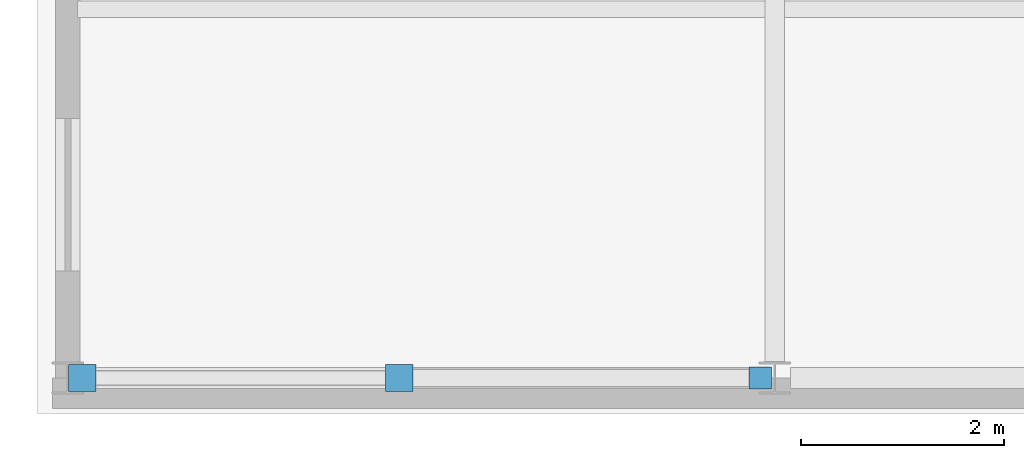
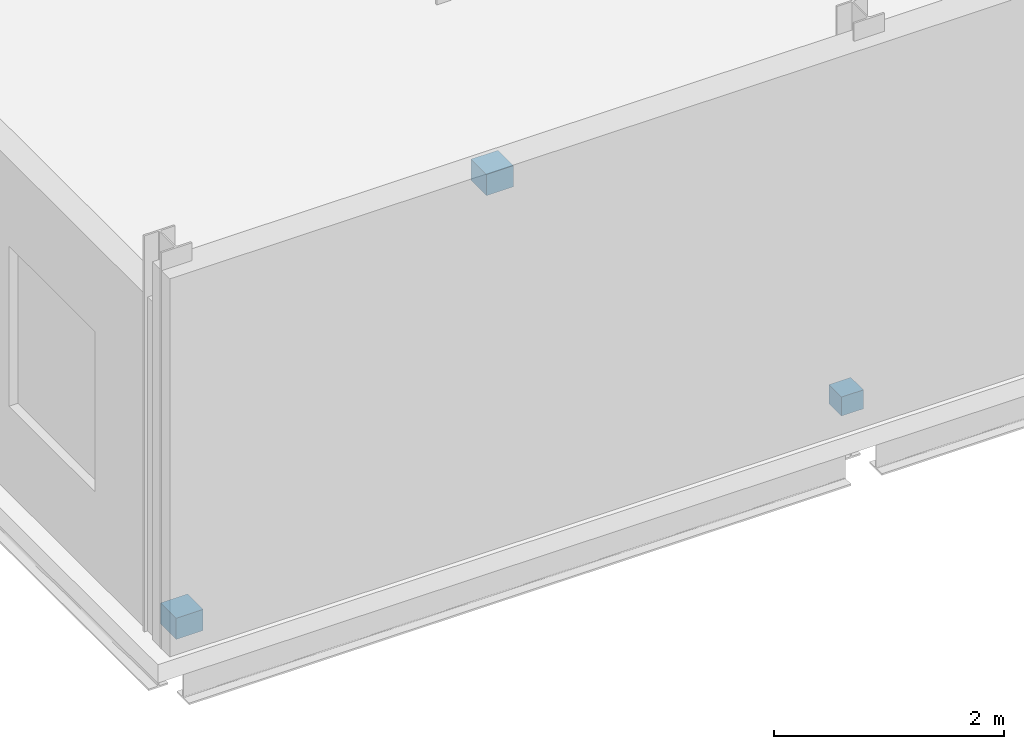
# One storey, part 45 of 60: 3 plates.
"""IFC4 building model written with IfcOpenShell, lengths in metres."""

from ifc_helpers import new_model, si_unit, direction, frame, origin, origin_2d, place, context, subcontext, project, spatial, rectangle, extrude, material, layer, layer_set, type_object, element, save


model = new_model("IFC4")

# Units and contexts
model_context = context("Model", 3, precision=1e-05, world=origin(), true_north=direction((0.0, 1.0)))
body_context = subcontext(model_context, "Body", "Model", "MODEL_VIEW")
ifc_project = project(units=[si_unit("LENGTHUNIT", "METRE"), si_unit("AREAUNIT", "SQUARE_METRE"), si_unit("VOLUMEUNIT", "CUBIC_METRE"), si_unit("PLANEANGLEUNIT", "RADIAN"), si_unit("MASSUNIT", "GRAM", prefix="KILO")], contexts=[model_context])

# Site, building, storey
site_placement = place(None, origin())
site = spatial("IfcSite", under=ifc_project, at=site_placement, CompositionType="ELEMENT")
building_placement = place(site_placement, origin())
building = spatial("IfcBuilding", under=site, at=building_placement, Name="Quillay Park Conservatory", CompositionType="ELEMENT")
storey_placement = place(building_placement, frame((0.0, 0.0, 9.89990234375)))
storey = spatial("IfcBuildingStorey", under=building, at=storey_placement, Name="L02", CompositionType="ELEMENT", Elevation=9.89990234375)

# Plates
ifc_material_1 = material(Name="Steel S355J2H", Category="steel")
ifc_layer_1 = layer(ifc_material_1, 0.02001953125)
ifc_layer_set_1 = layer_set([ifc_layer_1], Name="HOLLOW END CAP PLATE 220 X140 (Steel S355J2H)")
plate_type_1 = type_object("IfcPlateType", Name="HOLLOW END CAP PLATE 220 X140", PredefinedType="USERDEFINED", material=ifc_layer_set_1)
plate_placement = place(storey_placement, frame((7.357666015625, 0.550048828125, 0.04150390625), z_axis=(0.0, 0.0, 1.0), x_axis=(1.0, 0.0, 0.0)))
element("IfcPlate", 1, at=plate_placement, inside=storey, type_object=plate_type_1, Name="Hollow steel end cap ECP-0252", ObjectType="FLANGE PLATE", PredefinedType="USERDEFINED", context=body_context, shape_type="SweptSolid", body=[
    extrude(rectangle(XDim=0.219970703125, YDim=0.219970703125, at=origin_2d()), origin(), (0.0, 0.0, 1.0), 0.201416015625),
])
ifc_material_2 = material(Name="Steel S355J2H", Category="steel")
ifc_layer_2 = layer(ifc_material_2, 0.02197265625)
ifc_layer_set_2 = layer_set([ifc_layer_2], Name="HOLLOW END CAP PLATE 270 X170 (Steel S355J2H)")
plate_type_2 = type_object("IfcPlateType", Name="HOLLOW END CAP PLATE 270 X170", PredefinedType="USERDEFINED", material=ifc_layer_set_2)
for number, where, z_axis, x_axis, name in (
    (2, (0.69287109375, 0.550048828125, 0.02978515625), (0.0, 0.0, 1.0), (1.0, 0.0, 0.0), "Hollow steel end cap ECP-0250"),
    (3, (3.80712890625, 0.550048828125, 3.64599609375), (0.0, 0.0, 1.0), (1.0, 0.0, 0.0), "Hollow steel end cap ECP-0251"),
):
    element("IfcPlate", number, at=place(storey_placement, frame(where, z_axis=z_axis, x_axis=x_axis)), inside=storey, type_object=plate_type_2, Name=name, ObjectType="FLANGE PLATE", PredefinedType="USERDEFINED", context=body_context, shape_type="SweptSolid", body=[
        extrude(rectangle(XDim=0.27001953125, YDim=0.27001953125, at=origin_2d()), origin(), (0.0, 0.0, 1.0), 0.224365234375),
    ])

save(model, "model.ifc")
